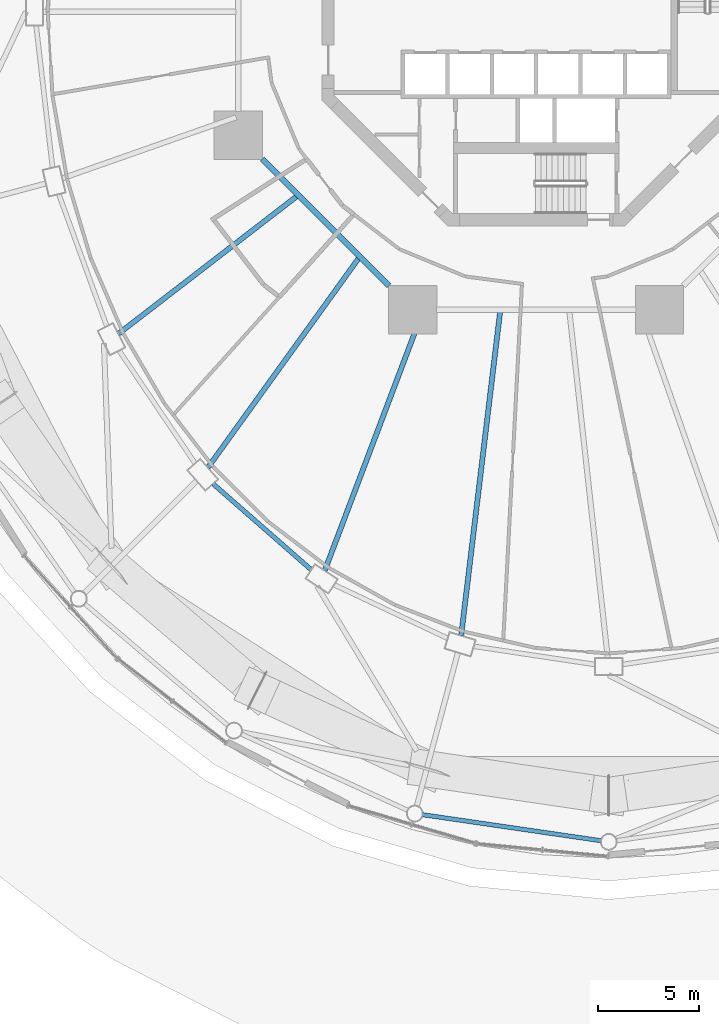
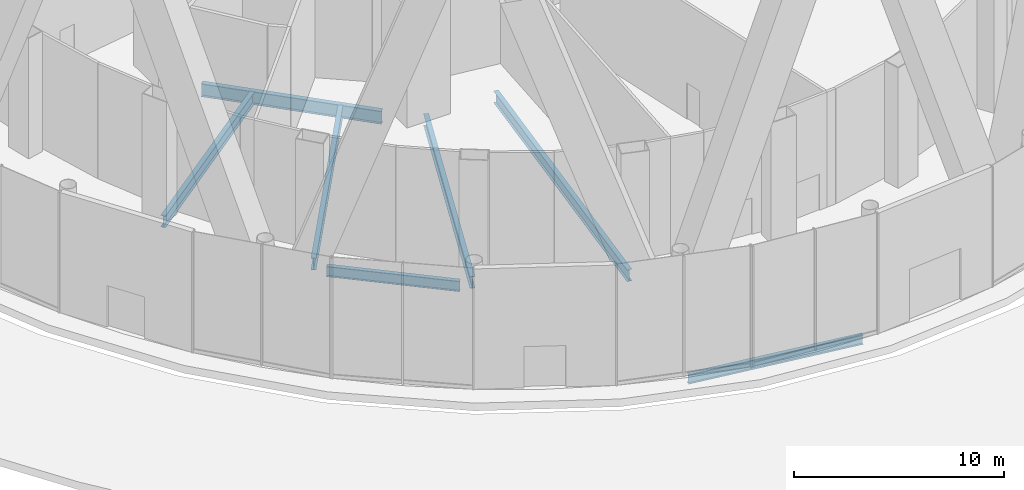
# One storey, part 11 of 67: 7 beams.
"""IFC4 building model written with IfcOpenShell, lengths in metres."""

import ifcopenshell
import ifcopenshell.guid

model = None  # the IFC model being written
_history = None  # IfcOwnerHistory: only IFC2X3 demands one
_inside = {}  # id of a spatial element -> (the spatial element, [elements in it])
_under = {}  # id of a project, library or spatial element -> (it, [spatial elements below it])
_declared = {}  # id of a project -> (the project, [libraries it declares])
_typed = {}  # id of a type object -> (the type object, [elements of that type])
_made_of = {}  # id of a material, layer set ... -> (it, [elements and type objects made of it])


def new_model(schema):
    """Start an empty IFC model of exactly this schema.

    Asked for "IFC4X3", IfcOpenShell would pick the latest addendum, in which some entities
    have other attributes; the version numbers below select the first issue.
    IFC2X3 requires an IfcOwnerHistory on every rooted entity: one is made here for all.
    """
    global model, _history
    if schema == "IFC4X3":
        model = ifcopenshell.file(schema_version=(4, 3, 0, 0))
    else:
        model = ifcopenshell.file(schema=schema)
    _inside.clear()
    _under.clear()
    _declared.clear()
    _typed.clear()
    _made_of.clear()
    _history = None
    if model.schema == "IFC2X3":
        org = make("IfcOrganization", Name="unknown")
        user = make(
            "IfcPersonAndOrganization",
            ThePerson=make("IfcPerson", FamilyName="unknown"),
            TheOrganization=org,
        )
        app = make(
            "IfcApplication",
            ApplicationDeveloper=org,
            Version="unknown",
            ApplicationFullName="unknown",
            ApplicationIdentifier="unknown",
        )
        _history = make(
            "IfcOwnerHistory",
            OwningUser=user,
            OwningApplication=app,
            ChangeAction="ADDED",
            CreationDate=0,
        )
    return model


def make(cls, **values):
    """One entity of the class cls with the attributes given. An attribute that is None is left unset."""
    return model.create_entity(
        cls, **{name: value for name, value in values.items() if value is not None}
    )


def rooted(cls, **values):
    """An entity with a GlobalId (a new one), such as an element, a storey or a relation."""
    return make(cls, GlobalId=ifcopenshell.guid.new(), OwnerHistory=_history, **values)


def si_unit(unit_type, name, prefix=None):
    """IfcSIUnit, for example si_unit("LENGTHUNIT", "METRE", prefix="MILLI")."""
    return make("IfcSIUnit", UnitType=unit_type, Prefix=prefix, Name=name)


def assignment(units):
    """IfcUnitAssignment: the units of a project."""
    return None if units is None else make("IfcUnitAssignment", Units=units)


def point(xyz):
    """IfcCartesianPoint."""
    return None if xyz is None else make("IfcCartesianPoint", Coordinates=xyz)


def direction(xyz):
    """IfcDirection."""
    return None if xyz is None else make("IfcDirection", DirectionRatios=xyz)


def frame(location, z_axis=None, x_axis=None):
    """IfcAxis2Placement3D, a coordinate frame: its origin and axes. An axis left out is left unset."""
    return make(
        "IfcAxis2Placement3D",
        Location=point(location),
        Axis=direction(z_axis),
        RefDirection=direction(x_axis),
    )


def frame_2d(location, x_axis=None):
    """IfcAxis2Placement2D, a coordinate frame in the plane: its origin and x axis."""
    return make(
        "IfcAxis2Placement2D", Location=point(location), RefDirection=direction(x_axis)
    )


def origin():
    """The frame at (0, 0, 0) with its axes left unset."""
    return frame((0.0, 0.0, 0.0))


def origin_2d():
    """The frame at (0, 0) in the plane with its x axis left unset."""
    return frame_2d((0.0, 0.0))


def place(relative_to, where):
    """IfcLocalPlacement: puts the frame where relative to a parent placement (None: the world)."""
    return make(
        "IfcLocalPlacement", PlacementRelTo=relative_to, RelativePlacement=where
    )


def context(
    kind, dimensions, precision=None, world=None, true_north=None, identifier=None
):
    """IfcGeometricRepresentationContext, for example the 3D "Model" context."""
    return make(
        "IfcGeometricRepresentationContext",
        ContextIdentifier=identifier,
        ContextType=kind,
        CoordinateSpaceDimension=dimensions,
        Precision=precision,
        WorldCoordinateSystem=world,
        TrueNorth=true_north,
    )


def subcontext(parent, identifier, kind, view, scale=None):
    """IfcGeometricRepresentationSubContext, for example "Body" below "Model"."""
    return make(
        "IfcGeometricRepresentationSubContext",
        ContextIdentifier=identifier,
        ContextType=kind,
        ParentContext=parent,
        TargetScale=scale,
        TargetView=view,
    )


def project(units=None, contexts=None):
    """IfcProject with its units and contexts."""
    return rooted(
        "IfcProject",
        Name="project",
        RepresentationContexts=contexts,
        UnitsInContext=assignment(units),
    )


def spatial(cls, under=None, at=None, **own):
    """A site, building, storey or space (cls), placed at a placement, below another one or the project."""
    s = rooted(cls, ObjectPlacement=at, **own)
    if under is not None:
        _under.setdefault(under.id(), (under, []))[1].append(s)
    return s


def profile(cls, at=None, kind="AREA", **sizes):
    """A parametric profile (cls). Its sizes go by their IFC names, for example OverallWidth=200.0."""
    return make(cls, ProfileType=kind, Position=at, **sizes)


def i_section(**sizes):
    """IfcIShapeProfileDef."""
    return profile("IfcIShapeProfileDef", **sizes)


def extrude(swept, where, along, depth):
    """IfcExtrudedAreaSolid: the profile swept, set in the frame where, extruded along a direction by depth."""
    return make(
        "IfcExtrudedAreaSolid",
        SweptArea=swept,
        Position=where,
        ExtrudedDirection=direction(along),
        Depth=depth,
    )


def shape(context_of_items, identifier, shape_type, items):
    """IfcShapeRepresentation: the items that make up one representation, for example the "Body"."""
    return make(
        "IfcShapeRepresentation",
        ContextOfItems=context_of_items,
        RepresentationIdentifier=identifier,
        RepresentationType=shape_type,
        Items=items,
    )


def material(Name=None, Category=None):
    """IfcMaterial."""
    return make("IfcMaterial", Name=Name, Category=Category)


def material_profile(
    of_material, cross_section, Name=None, Category=None, Priority=None
):
    """IfcMaterialProfile: a cross section and its material."""
    return make(
        "IfcMaterialProfile",
        Name=Name,
        Material=of_material,
        Profile=cross_section,
        Priority=Priority,
        Category=Category,
    )


def profile_set(profiles, Name=None, composite=None):
    """IfcMaterialProfileSet."""
    return make(
        "IfcMaterialProfileSet",
        Name=Name,
        MaterialProfiles=profiles,
        CompositeProfile=composite,
    )


def made_of(thing, what):
    """Note that an element or type object is made of a material, layer set ...; save() writes the relation."""
    if what is not None:
        _made_of.setdefault(what.id(), (what, []))[1].append(thing)
    return thing


def type_object(cls, material=None, **own):
    """A type object (cls), such as IfcWallType, which elements share."""
    return made_of(rooted(cls, **own), material)


def element(
    cls,
    number,
    at=None,
    inside=None,
    cuts=None,
    type_object=None,
    material=None,
    context=None,
    identifier="Body",
    shape_type=None,
    held_by="IfcProductDefinitionShape",
    body=None,
    shapes=None,
    **own,
):
    """One element of the class cls, such as IfcWall. Its Tag is "e" and its number.

    at: its placement. inside: the storey or other place that contains it. cuts: it is an
    opening in that element (IfcRelVoidsElement). A single representation is given by context,
    identifier, shape_type and body (its items); several are given by shapes. held_by: the class
    of the entity that holds the representations. save() writes the other relations.
    """
    e = rooted(cls, Tag="e%d" % number, ObjectPlacement=at, **own)
    if body is not None:
        shapes = [shape(context, identifier, shape_type, body)]
    if shapes is not None:
        e.Representation = make(held_by, Representations=shapes)
    if inside is not None:
        _inside.setdefault(inside.id(), (inside, []))[1].append(e)
    if cuts is not None:
        rooted(
            "IfcRelVoidsElement", RelatingBuildingElement=cuts, RelatedOpeningElement=e
        )
    if type_object is not None:
        _typed.setdefault(type_object.id(), (type_object, []))[1].append(e)
    return made_of(e, material)


def aggregate(whole, parts):
    """IfcRelAggregates: a whole, such as a stair, and the parts it consists of."""
    return rooted("IfcRelAggregates", RelatingObject=whole, RelatedObjects=parts)


def save(model, path):
    """Write the relations noted so far, then the file.

    IfcRelAggregates (storeys below a building ...), IfcRelContainedInSpatialStructure (elements
    in a storey), IfcRelDefinesByType, IfcRelAssociatesMaterial and IfcRelDeclares: one each for
    every whole, place, type object, material and project.
    """
    for whole, parts in _under.values():
        aggregate(whole, parts)
    for where, things in _inside.values():
        rooted(
            "IfcRelContainedInSpatialStructure",
            RelatedElements=things,
            RelatingStructure=where,
        )
    for kind, things in _typed.values():
        rooted("IfcRelDefinesByType", RelatedObjects=things, RelatingType=kind)
    for what, things in _made_of.values():
        rooted("IfcRelAssociatesMaterial", RelatedObjects=things, RelatingMaterial=what)
    for by, libraries in _declared.values():
        rooted("IfcRelDeclares", RelatingContext=by, RelatedDefinitions=libraries)
    model.write(path)


model = new_model("IFC4")

# Units and contexts
model_context = context("Model", 3, precision=1e-05, world=origin(), true_north=direction((0.0, 1.0)))
body_context = subcontext(model_context, "Body", "Model", "MODEL_VIEW")
ifc_project = project(units=[si_unit("LENGTHUNIT", "METRE"), si_unit("AREAUNIT", "SQUARE_METRE"), si_unit("VOLUMEUNIT", "CUBIC_METRE"), si_unit("PLANEANGLEUNIT", "RADIAN"), si_unit("MASSUNIT", "GRAM", prefix="KILO")], contexts=[model_context])

# Site, building, storey
site_placement = place(None, origin())
site = spatial("IfcSite", under=ifc_project, at=site_placement, CompositionType="ELEMENT")
building_placement = place(site_placement, origin())
building = spatial("IfcBuilding", under=site, at=building_placement, Name="Nagisa Residences", CompositionType="ELEMENT")
storey_placement = place(building_placement, origin())
storey = spatial("IfcBuildingStorey", under=building, at=storey_placement, Name="L00", CompositionType="ELEMENT", Elevation=0.0)

# Beams
ifc_material_1 = material(Name="Steel ASTM A572 Gr 50", Category="steel")
ifc_material_profile_1 = material_profile(ifc_material_1, i_section(OverallWidth=0.214111328125, OverallDepth=0.549072265625, WebThickness=0.0146484375, FlangeThickness=0.023681640625, at=origin_2d()), Name="W530x138")
ifc_profile_set_1 = profile_set([ifc_material_profile_1], Name="Steel ASTM A572 Gr 50")
beam_type_1 = type_object("IfcBeamType", Name="Atrium ring beam W530x138", PredefinedType="BEAM", material=ifc_profile_set_1)
beam_1_placement = place(storey_placement, frame((-5.6455078125, -39.851806640625, -0.674560546875), z_axis=(0.989533710855, -0.144301888694, 0.0), x_axis=(0.144301888694, 0.989533710855, 0.0)))
element("IfcBeam", 1, at=beam_1_placement, inside=storey, type_object=beam_type_1, Name="beam:L00:ab18", PredefinedType="BEAM", context=body_context, shape_type="SweptSolid", body=[
    extrude(i_section(OverallWidth=0.214111328125, OverallDepth=0.549072265625, WebThickness=0.0146484375, FlangeThickness=0.023681640625, at=origin_2d()), origin(), (0.0, 0.0, 1.0), 8.956787109375),
])
ifc_material_2 = material(Name="Steel ASTM A572 Gr 50", Category="steel")
ifc_material_profile_2 = material_profile(ifc_material_2, i_section(OverallWidth=0.264892578125, OverallDepth=0.7529296875, WebThickness=0.01318359375, FlangeThickness=0.01708984375, at=origin_2d()), Name="W760x147")
ifc_profile_set_2 = profile_set([ifc_material_profile_2], Name="Steel ASTM A572 Gr 50")
beam_type_2 = type_object("IfcBeamType", Name="Inner ring beam W760x147", PredefinedType="BEAM", material=ifc_profile_set_2)
beam_2_placement = place(storey_placement, frame((-13.59619140625, -7.308837890625, -0.776611328125), z_axis=(0.707106781187, -0.707106781187, 0.0), x_axis=(0.707106781187, 0.707106781187, 0.0)))
element("IfcBeam", 2, at=beam_2_placement, inside=storey, type_object=beam_type_2, Name="beam:L00:ib5", PredefinedType="BEAM", context=body_context, shape_type="SweptSolid", body=[
    extrude(i_section(OverallWidth=0.264892578125, OverallDepth=0.7529296875, WebThickness=0.01318359375, FlangeThickness=0.01708984375, at=origin_2d()), origin(), (0.0, 0.0, 1.0), 8.8916015625),
])
ifc_material_3 = material(Name="Steel ASTM A572 Gr 50", Category="steel")
ifc_material_profile_3 = material_profile(ifc_material_3, i_section(OverallWidth=0.22802734375, OverallDepth=0.60302734375, WebThickness=0.010498046875, FlangeThickness=0.014892578125, at=origin_2d()), Name="W610x101")
ifc_profile_set_3 = profile_set([ifc_material_profile_3], Name="Steel ASTM A572 Gr 50")
beam_type_3 = type_object("IfcBeamType", Name="Perimeter ring beam W610x101", PredefinedType="BEAM", material=ifc_profile_set_3)
beam_3_placement = place(storey_placement, frame((-16.0361328125, -23.432861328125, -0.701416015625), z_axis=(0.752574357292, -0.658507279191, 0.0), x_axis=(0.658507279191, 0.752574357292, 0.0)))
element("IfcBeam", 3, at=beam_3_placement, inside=storey, type_object=beam_type_3, Name="beam:L00:pb16", PredefinedType="BEAM", context=body_context, shape_type="SweptSolid", body=[
    extrude(i_section(OverallWidth=0.22802734375, OverallDepth=0.60302734375, WebThickness=0.010498046875, FlangeThickness=0.014892578125, at=origin_2d()), origin(), (0.0, 0.0, 1.0), 6.47021484375),
])
ifc_material_4 = material(Name="Steel ASTM A572 Gr 50", Category="steel")
ifc_material_profile_4 = material_profile(ifc_material_4, i_section(OverallWidth=0.25390625, OverallDepth=0.68408203125, WebThickness=0.012451171875, FlangeThickness=0.018798828125, at=origin_2d()), Name="W690x140")
ifc_profile_set_4 = profile_set([ifc_material_profile_4], Name="Steel ASTM A572 Gr 50")
beam_type_4 = type_object("IfcBeamType", Name="Radial beam W690x140", PredefinedType="BEAM", material=ifc_profile_set_4)
beam_4_placement = place(storey_placement, frame((-20.73486328125, -15.982666015625, -0.741943359375), z_axis=(0.792016146736, 0.610500141941, 0.0), x_axis=(-0.610500141941, 0.792016146736, 0.0)))
element("IfcBeam", 4, at=beam_4_placement, inside=storey, type_object=beam_type_4, Name="beam:L00:rb15", PredefinedType="BEAM", context=body_context, shape_type="SweptSolid", body=[
    extrude(i_section(OverallWidth=0.25390625, OverallDepth=0.68408203125, WebThickness=0.012451171875, FlangeThickness=0.018798828125, at=origin_2d()), origin(), (0.0, 0.0, 1.0), 11.160888671875),
])
beam_5_placement = place(storey_placement, frame((-16.29443359375, -22.62255859375, -0.741943359375), z_axis=(0.58445507622, 0.811426068031, 0.0), x_axis=(-0.811426068031, 0.58445507622, 0.0)))
element("IfcBeam", 5, at=beam_5_placement, inside=storey, type_object=beam_type_4, Name="beam:L00:rb16", PredefinedType="BEAM", context=body_context, shape_type="SweptSolid", body=[
    extrude(i_section(OverallWidth=0.25390625, OverallDepth=0.68408203125, WebThickness=0.012451171875, FlangeThickness=0.018798828125, at=origin_2d()), origin(), (0.0, 0.0, 1.0), 12.78955078125),
])
beam_6_placement = place(storey_placement, frame((-10.493896484375, -27.7333984375, -0.741943359375), z_axis=(0.353887892206, 0.935287848606, 0.0), x_axis=(-0.935287848606, 0.353887892206, 0.0)))
element("IfcBeam", 6, at=beam_6_placement, inside=storey, type_object=beam_type_4, Name="beam:L00:rb17", PredefinedType="BEAM", context=body_context, shape_type="SweptSolid", body=[
    extrude(i_section(OverallWidth=0.25390625, OverallDepth=0.68408203125, WebThickness=0.012451171875, FlangeThickness=0.018798828125, at=origin_2d()), origin(), (0.0, 0.0, 1.0), 13.725830078125),
])
beam_7_placement = place(storey_placement, frame((-3.72412109375, -30.958740234375, -0.741943359375), z_axis=(0.119431411612, 0.992842453726, 0.0), x_axis=(-0.992842453726, 0.119431411612, 0.0)))
element("IfcBeam", 7, at=beam_7_placement, inside=storey, type_object=beam_type_4, Name="beam:L00:rb18", PredefinedType="BEAM", context=body_context, shape_type="SweptSolid", body=[
    extrude(i_section(OverallWidth=0.25390625, OverallDepth=0.68408203125, WebThickness=0.012451171875, FlangeThickness=0.018798828125, at=origin_2d()), origin(), (0.0, 0.0, 1.0), 16.1796875),
])

save(model, "model.ifc")
